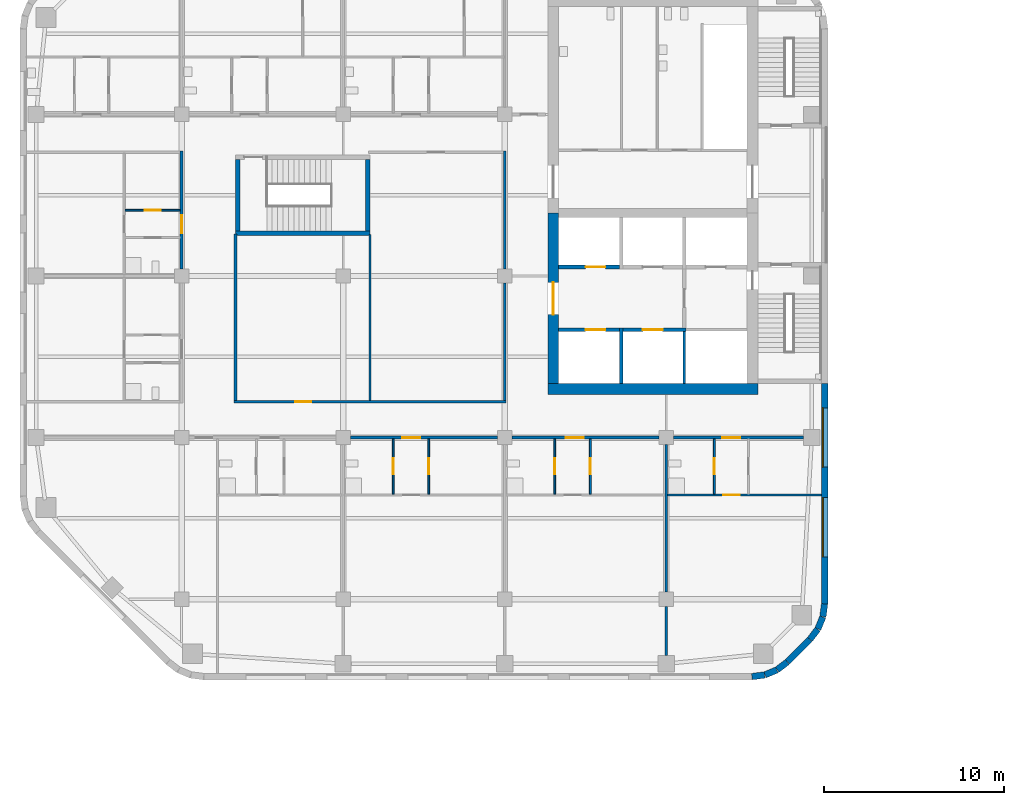
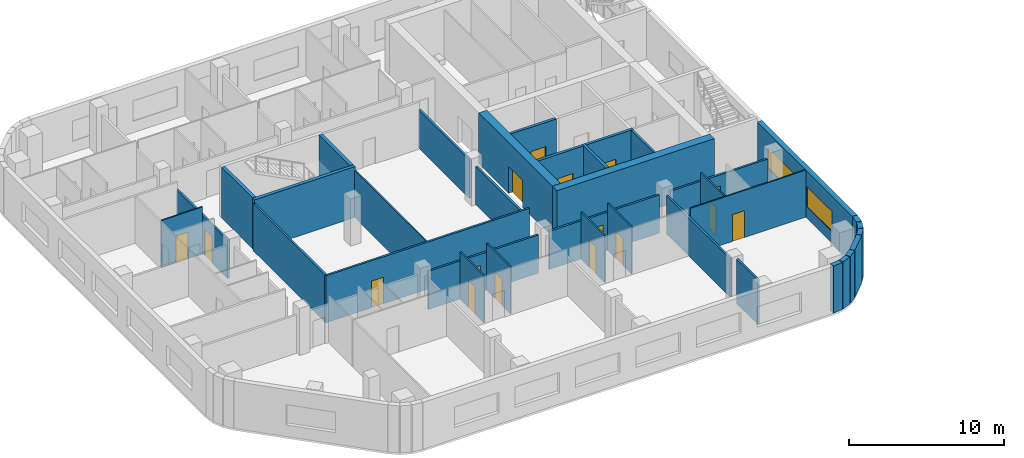
# One storey, part 6 of 16: 36 walls, 16 doors, 2 windows, 18 openings.
"""IFC4 building model written with IfcOpenShell, lengths in metres."""

from ifc_helpers import new_model, si_unit, direction, frame, frame_2d, origin, place, context, subcontext, project, spatial, rectangle, extrude, material, layer, layer_set, type_object, element, fill, save


model = new_model("IFC4")

# Units and contexts
model_context = context("Model", 3, precision=1e-05, world=origin(), true_north=direction((0.0, 1.0)))
body_context = subcontext(model_context, "Body", "Model", "MODEL_VIEW")
ifc_project = project(units=[si_unit("LENGTHUNIT", "METRE"), si_unit("AREAUNIT", "SQUARE_METRE"), si_unit("VOLUMEUNIT", "CUBIC_METRE"), si_unit("PLANEANGLEUNIT", "RADIAN"), si_unit("MASSUNIT", "GRAM", prefix="KILO")], contexts=[model_context])

# Site, building, storey
site_placement = place(None, origin())
site = spatial("IfcSite", under=ifc_project, at=site_placement, CompositionType="ELEMENT")
building_placement = place(site_placement, origin())
building = spatial("IfcBuilding", under=site, at=building_placement, Name="Cinnabar Reach Civic Tower", CompositionType="ELEMENT")
storey_placement = place(building_placement, frame((0.0, 0.0, 42.0)))
storey = spatial("IfcBuildingStorey", under=building, at=storey_placement, Name="L09", CompositionType="ELEMENT", Elevation=42.0)

# Walls
ifc_material_1 = material(Name="Facing brick with insulated backing", Category="masonry")
ifc_layer_1 = layer(ifc_material_1, 0.36)
ifc_layer_set_1 = layer_set([ifc_layer_1], Name="Brick corner wall")
wall_type_1 = type_object("IfcWallType", Name="Brick corner wall", PredefinedType="STANDARD", material=ifc_layer_set_1)
for number, where, z_axis, x_axis, name in (
    (1, (-31.2314, 4.683, 0.0), (0.0, 0.0, 1.0), (0.99144092581, 0.13055608231, 0.0), "Brick corner wall"),
    (2, (-30.5027, 4.7819, 0.0), (0.0, 0.0, 1.0), (0.923871547278, 0.382702709855, 0.0), "Brick corner wall"),
):
    element("IfcWall", number, at=place(storey_placement, frame(where, z_axis=z_axis, x_axis=x_axis)), inside=storey, type_object=wall_type_1, Name=name, PredefinedType="STANDARD", context=body_context, shape_type="SweptSolid", body=[
        extrude(rectangle(XDim=0.7131, YDim=0.36, at=frame_2d((0.3565, 0.0))), origin(), (0.0, 0.0, 1.0), 3.7),
    ])
for number, where, z_axis, x_axis, name in (
    (3, (-29.8245, 5.066, 0.0), (0.0, 0.0, 1.0), (0.793321924995, 0.608802368033, 0.0), "Brick corner wall"),
    (4, (-28.0002, 6.7587, 0.0), (0.0, 0.0, 1.0), (0.608802368033, 0.793321924995, 0.0), "Brick corner wall"),
):
    element("IfcWall", number, at=place(storey_placement, frame(where, z_axis=z_axis, x_axis=x_axis)), inside=storey, type_object=wall_type_1, Name=name, PredefinedType="STANDARD", context=body_context, shape_type="SweptSolid", body=[
        extrude(rectangle(XDim=0.7132, YDim=0.36, at=frame_2d((0.3566, 0.0))), origin(), (0.0, 0.0, 1.0), 3.7),
    ])
for number, where, z_axis, x_axis, name in (
    (5, (-27.5548, 7.3439, 0.0), (0.0, 0.0, 1.0), (0.382702709855, 0.923871547278, 0.0), "Brick corner wall"),
    (6, (-27.2761, 8.0244, 0.0), (0.0, 0.0, 1.0), (0.13055608231, 0.99144092581, 0.0), "Brick corner wall"),
):
    element("IfcWall", number, at=place(storey_placement, frame(where, z_axis=z_axis, x_axis=x_axis)), inside=storey, type_object=wall_type_1, Name=name, PredefinedType="STANDARD", context=body_context, shape_type="SweptSolid", body=[
        extrude(rectangle(XDim=0.7131, YDim=0.36, at=frame_2d((0.3565, 0.0))), origin(), (0.0, 0.0, 1.0), 3.7),
    ])
ifc_layer_2 = layer(ifc_material_1, 0.36)
ifc_layer_set_2 = layer_set([ifc_layer_2], Name="Brick pier and spandrel wall")
wall_type_2 = type_object("IfcWallType", Name="Brick pier and spandrel wall", PredefinedType="STANDARD", material=ifc_layer_set_2)
wall_1_placement = place(storey_placement, frame((-29.2486, 5.506, 0.0), z_axis=(0.0, 0.0, 1.0), x_axis=(0.707106781187, 0.707106781187, 0.0)))
element("IfcWall", 7, at=wall_1_placement, inside=storey, type_object=wall_type_2, Name="Brick facade wall", PredefinedType="STANDARD", context=body_context, shape_type="SweptSolid", body=[
    extrude(rectangle(XDim=1.7573, YDim=0.36, at=frame_2d((0.8787, 0.0))), origin(), (0.0, 0.0, 1.0), 3.7),
])

# Wall, openings, windows
wall_2_placement = place(storey_placement, frame((-27.18, 8.7426, 0.0), z_axis=(0.0, 0.0, 1.0), x_axis=(0.0, 1.0, 0.0)))
wall_2 = element("IfcWall", 8, at=wall_2_placement, inside=storey, type_object=wall_type_2, Name="Brick facade wall", PredefinedType="STANDARD", context=body_context, shape_type="SweptSolid", body=[
    extrude(rectangle(XDim=12.2574, YDim=0.36, at=frame_2d((6.1287, 0.0))), origin(), (0.0, 0.0, 1.0), 3.7),
])
opening_1_placement = place(wall_2_placement, frame((2.6074, 0.0, 0.9)))
opening_1 = element("IfcOpeningElement", 9, at=opening_1_placement, cuts=wall_2, Name="Opening W2444", PredefinedType="OPENING", context=body_context, shape_type="SweptSolid", body=[
    extrude(rectangle(XDim=3.3, YDim=1.6, at=frame_2d((1.65, 0.8))), frame((0.0, 0.19, 0.0), z_axis=(0.0, -1.0, 0.0), x_axis=(1.0, 0.0, 0.0)), (0.0, 0.0, 1.0), 0.38),
])
opening_2_placement = place(wall_2_placement, frame((7.6074, 0.0, 0.9)))
opening_2 = element("IfcOpeningElement", 10, at=opening_2_placement, cuts=wall_2, Name="Opening W2445", PredefinedType="OPENING", context=body_context, shape_type="SweptSolid", body=[
    extrude(rectangle(XDim=3.3, YDim=1.6, at=frame_2d((1.65, 0.8))), frame((0.0, 0.19, 0.0), z_axis=(0.0, -1.0, 0.0), x_axis=(1.0, 0.0, 0.0)), (0.0, 0.0, 1.0), 0.38),
])
ifc_material_2 = material(Name="Clear double glazing in aluminium frame", Category="aluminium")
window_type = type_object("IfcWindowType", Name="Deep-set window A", PartitioningType="SINGLE_PANEL", PredefinedType="WINDOW", material=ifc_material_2)
window_1_placement = place(opening_1_placement, origin())
window_1 = element("IfcWindow", 11, at=window_1_placement, inside=storey, type_object=window_type, Name="Window east face", OverallHeight=1.6, OverallWidth=3.3, PartitioningType="SINGLE_PANEL", PredefinedType="WINDOW", context=body_context, shape_type="SweptSolid", body=[
    extrude(rectangle(XDim=3.3, YDim=1.6, at=frame_2d((1.65, 0.8))), frame((0.0, 0.13, 0.0), z_axis=(0.0, -1.0, 0.0), x_axis=(1.0, 0.0, 0.0)), (0.0, 0.0, 1.0), 0.06),
])
fill(opening_1, window_1)
window_2_placement = place(opening_2_placement, origin())
window_2 = element("IfcWindow", 12, at=window_2_placement, inside=storey, type_object=window_type, Name="Window east face", OverallHeight=1.6, OverallWidth=3.3, PartitioningType="SINGLE_PANEL", PredefinedType="WINDOW", context=body_context, shape_type="SweptSolid", body=[
    extrude(rectangle(XDim=3.3, YDim=1.6, at=frame_2d((1.65, 0.8))), frame((0.0, 0.13, 0.0), z_axis=(0.0, -1.0, 0.0), x_axis=(1.0, 0.0, 0.0)), (0.0, 0.0, 1.0), 0.06),
])
fill(opening_2, window_2)

# Wall
ifc_material_3 = material(Name="Concrete C70", Category="concrete")
ifc_layer_3 = layer(ifc_material_3, 0.6)
ifc_layer_set_3 = layer_set([ifc_layer_3], Name="Core wall 600 EI 180")
wall_type_3 = type_object("IfcWallType", Name="Core wall 600 EI 180", PredefinedType="SOLIDWALL", material=ifc_layer_set_3)
wall_3_placement = place(storey_placement, frame((-42.6, 20.7, 0.0), z_axis=(0.0, 0.0, 1.0), x_axis=(1.0, 0.0, 0.0)))
element("IfcWall", 13, at=wall_3_placement, inside=storey, type_object=wall_type_3, Name="Core wall T2 L09 S", PredefinedType="SOLIDWALL", context=body_context, shape_type="SweptSolid", body=[
    extrude(rectangle(XDim=11.7, YDim=0.6, at=frame_2d((5.85, 0.0))), origin(), (0.0, 0.0, 1.0), 4.0),
])

# Wall, opening, door
wall_4_placement = place(storey_placement, frame((-42.3, 30.5, 0.0), z_axis=(0.0, 0.0, 1.0), x_axis=(0.0, -1.0, 0.0)))
wall_4 = element("IfcWall", 14, at=wall_4_placement, inside=storey, type_object=wall_type_3, Name="Core wall T2 L09 W2", PredefinedType="SOLIDWALL", context=body_context, shape_type="SweptSolid", body=[
    extrude(rectangle(XDim=9.5, YDim=0.6, at=frame_2d((4.75, 0.0))), origin(), (0.0, 0.0, 1.0), 4.0),
])
opening_3_placement = place(wall_4_placement, frame((3.85, 0.0, 0.0)))
opening_3 = element("IfcOpeningElement", 15, at=opening_3_placement, cuts=wall_4, Name="Opening D6322", PredefinedType="OPENING", context=body_context, shape_type="SweptSolid", body=[
    extrude(rectangle(XDim=1.8, YDim=2.1, at=frame_2d((0.9, 1.05))), frame((0.0, 0.31, 0.0), z_axis=(0.0, -1.0, 0.0), x_axis=(1.0, 0.0, 0.0)), (0.0, 0.0, 1.0), 0.62),
])
ifc_material_4 = material(Name="Steel fire door", Category="steel")
door_type_1 = type_object("IfcDoorType", Name="T2 Double door 1800", OperationType="DOUBLE_DOOR_SINGLE_SWING", PredefinedType="DOOR", material=ifc_material_4)
door_1_placement = place(opening_3_placement, origin())
door_1 = element("IfcDoor", 16, at=door_1_placement, inside=storey, type_object=door_type_1, Name="T2 Double door D6322", OperationType="DOUBLE_DOOR_SINGLE_SWING", OverallHeight=2.1, OverallWidth=1.8, PredefinedType="DOOR", context=body_context, shape_type="SweptSolid", body=[
    extrude(rectangle(XDim=1.8, YDim=2.1, at=frame_2d((0.9, 1.05))), frame((0.0, 0.025, 0.0), z_axis=(0.0, -1.0, 0.0), x_axis=(1.0, 0.0, 0.0)), (0.0, 0.0, 1.0), 0.05),
])
fill(opening_3, door_1)

ifc_material_5 = material(Name="Gypsum board on steel studs, double layer", Category="steel")
ifc_layer_4 = layer(ifc_material_5, 0.15)
ifc_layer_set_4 = layer_set([ifc_layer_4], Name="Corridor wall 150 T2")
wall_type_4 = type_object("IfcWallType", Name="Corridor wall 150 T2", PredefinedType="PARTITIONING", material=ifc_layer_set_4)
wall_5_placement = place(storey_placement, frame((-35.6, 18.0, 0.0), z_axis=(0.0, 0.0, 1.0), x_axis=(1.0, 0.0, 0.0)))
wall_5 = element("IfcWall", 17, at=wall_5_placement, inside=storey, type_object=wall_type_4, Name="Corridor wall 1", PredefinedType="PARTITIONING", context=body_context, shape_type="SweptSolid", body=[
    extrude(rectangle(XDim=7.25, YDim=0.15, at=frame_2d((3.625, 0.0))), origin(), (0.0, 0.0, 1.0), 3.0),
])
opening_4_placement = place(wall_5_placement, frame((2.7284, 0.0, 0.0)))
opening_4 = element("IfcOpeningElement", 18, at=opening_4_placement, cuts=wall_5, Name="Opening D6344", PredefinedType="OPENING", context=body_context, shape_type="SweptSolid", body=[
    extrude(rectangle(XDim=1.0, YDim=2.1, at=frame_2d((0.5, 1.05))), frame((0.0, 0.085, 0.0), z_axis=(0.0, -1.0, 0.0), x_axis=(1.0, 0.0, 0.0)), (0.0, 0.0, 1.0), 0.17),
])
ifc_material_6 = material(Name="Timber door leaf in steel frame", Category="steel")
door_type_2 = type_object("IfcDoorType", Name="Tenancy entrance door 1000 x 2100 T2", OperationType="SINGLE_SWING_LEFT", PredefinedType="DOOR", material=ifc_material_6)
door_2_placement = place(opening_4_placement, frame((1.0, 0.0, 0.0), z_axis=(0.0, 0.0, 1.0), x_axis=(-1.0, 0.0, 0.0)))
door_2 = element("IfcDoor", 19, at=door_2_placement, inside=storey, type_object=door_type_2, Name="Door D6344", OperationType="SINGLE_SWING_RIGHT", OverallHeight=2.1, OverallWidth=1.0, PredefinedType="DOOR", context=body_context, shape_type="SweptSolid", body=[
    extrude(rectangle(XDim=1.0, YDim=2.1, at=frame_2d((0.5, 1.05))), frame((0.0, 0.025, 0.0), z_axis=(0.0, -1.0, 0.0), x_axis=(1.0, 0.0, 0.0)), (0.0, 0.0, 1.0), 0.05),
])
fill(opening_4, door_2)

wall_6_placement = place(storey_placement, frame((-44.6, 18.0, 0.0), z_axis=(0.0, 0.0, 1.0), x_axis=(1.0, 0.0, 0.0)))
wall_6 = element("IfcWall", 20, at=wall_6_placement, inside=storey, type_object=wall_type_4, Name="Corridor wall 2", PredefinedType="PARTITIONING", context=body_context, shape_type="SweptSolid", body=[
    extrude(rectangle(XDim=8.2, YDim=0.15, at=frame_2d((4.1, 0.0))), origin(), (0.0, 0.0, 1.0), 3.0),
])
opening_5_placement = place(wall_6_placement, frame((3.0, 0.0, 0.0)))
opening_5 = element("IfcOpeningElement", 21, at=opening_5_placement, cuts=wall_6, Name="Opening D6340", PredefinedType="OPENING", context=body_context, shape_type="SweptSolid", body=[
    extrude(rectangle(XDim=1.0, YDim=2.1, at=frame_2d((0.5, 1.05))), frame((0.0, 0.085, 0.0), z_axis=(0.0, -1.0, 0.0), x_axis=(1.0, 0.0, 0.0)), (0.0, 0.0, 1.0), 0.17),
])
door_3_placement = place(opening_5_placement, frame((1.0, 0.0, 0.0), z_axis=(0.0, 0.0, 1.0), x_axis=(-1.0, 0.0, 0.0)))
door_3 = element("IfcDoor", 22, at=door_3_placement, inside=storey, type_object=door_type_2, Name="Door D6340", OperationType="SINGLE_SWING_LEFT", OverallHeight=2.1, OverallWidth=1.0, PredefinedType="DOOR", context=body_context, shape_type="SweptSolid", body=[
    extrude(rectangle(XDim=1.0, YDim=2.1, at=frame_2d((0.5, 1.05))), frame((0.0, 0.025, 0.0), z_axis=(0.0, -1.0, 0.0), x_axis=(1.0, 0.0, 0.0)), (0.0, 0.0, 1.0), 0.05),
])
fill(opening_5, door_3)

wall_7_placement = place(storey_placement, frame((-53.6, 18.0, 0.0), z_axis=(0.0, 0.0, 1.0), x_axis=(1.0, 0.0, 0.0)))
wall_7 = element("IfcWall", 23, at=wall_7_placement, inside=storey, type_object=wall_type_4, Name="Corridor wall 3", PredefinedType="PARTITIONING", context=body_context, shape_type="SweptSolid", body=[
    extrude(rectangle(XDim=8.2, YDim=0.15, at=frame_2d((4.1, 0.0))), origin(), (0.0, 0.0, 1.0), 3.0),
])
opening_6_placement = place(wall_7_placement, frame((2.89, 0.0, 0.0)))
opening_6 = element("IfcOpeningElement", 24, at=opening_6_placement, cuts=wall_7, Name="Opening D6336", PredefinedType="OPENING", context=body_context, shape_type="SweptSolid", body=[
    extrude(rectangle(XDim=1.0, YDim=2.1, at=frame_2d((0.5, 1.05))), frame((0.0, 0.085, 0.0), z_axis=(0.0, -1.0, 0.0), x_axis=(1.0, 0.0, 0.0)), (0.0, 0.0, 1.0), 0.17),
])
door_4_placement = place(opening_6_placement, frame((1.0, 0.0, 0.0), z_axis=(0.0, 0.0, 1.0), x_axis=(-1.0, 0.0, 0.0)))
door_4 = element("IfcDoor", 25, at=door_4_placement, inside=storey, type_object=door_type_2, Name="Door D6336", OperationType="SINGLE_SWING_RIGHT", OverallHeight=2.1, OverallWidth=1.0, PredefinedType="DOOR", context=body_context, shape_type="SweptSolid", body=[
    extrude(rectangle(XDim=1.0, YDim=2.1, at=frame_2d((0.5, 1.05))), frame((0.0, 0.025, 0.0), z_axis=(0.0, -1.0, 0.0), x_axis=(1.0, 0.0, 0.0)), (0.0, 0.0, 1.0), 0.05),
])
fill(opening_6, door_4)

wall_8_placement = place(storey_placement, frame((-60.075, 20.0, 0.0), z_axis=(0.0, 0.0, 1.0), x_axis=(1.0, 0.0, 0.0)))
wall_8 = element("IfcWall", 26, at=wall_8_placement, inside=storey, type_object=wall_type_4, Name="Corridor wall 10", PredefinedType="PARTITIONING", context=body_context, shape_type="SweptSolid", body=[
    extrude(rectangle(XDim=15.15, YDim=0.15, at=frame_2d((7.575, 0.0))), origin(), (0.0, 0.0, 1.0), 3.7),
])
opening_7_placement = place(wall_8_placement, frame((3.4, 0.0, 0.0)))
opening_7 = element("IfcOpeningElement", 27, at=opening_7_placement, cuts=wall_8, Name="Opening D6367", PredefinedType="OPENING", context=body_context, shape_type="SweptSolid", body=[
    extrude(rectangle(XDim=0.9, YDim=2.1, at=frame_2d((0.45, 1.05))), frame((0.0, 0.085, 0.0), z_axis=(0.0, -1.0, 0.0), x_axis=(1.0, 0.0, 0.0)), (0.0, 0.0, 1.0), 0.17),
])
door_type_3 = type_object("IfcDoorType", Name="Single swing door 900 x 2100 T2", OperationType="SINGLE_SWING_LEFT", PredefinedType="DOOR", material=ifc_material_6)
door_5_placement = place(opening_7_placement, origin())
door_5 = element("IfcDoor", 28, at=door_5_placement, inside=storey, type_object=door_type_3, Name="Door D6367", OperationType="SINGLE_SWING_LEFT", OverallHeight=2.1, OverallWidth=0.9, PredefinedType="DOOR", context=body_context, shape_type="SweptSolid", body=[
    extrude(rectangle(XDim=0.9, YDim=2.1, at=frame_2d((0.45, 1.05))), frame((0.0, 0.025, 0.0), z_axis=(0.0, -1.0, 0.0), x_axis=(1.0, 0.0, 0.0)), (0.0, 0.0, 1.0), 0.05),
])
fill(opening_7, door_5)

wall_9_placement = place(storey_placement, frame((-63.0, 27.4, 0.0), z_axis=(0.0, 0.0, 1.0), x_axis=(0.0, 1.0, 0.0)))
wall_9 = element("IfcWall", 29, at=wall_9_placement, inside=storey, type_object=wall_type_4, Name="Corridor wall 12", PredefinedType="PARTITIONING", context=body_context, shape_type="SweptSolid", body=[
    extrude(rectangle(XDim=6.575, YDim=0.15, at=frame_2d((3.2875, 0.0))), origin(), (0.0, 0.0, 1.0), 3.008),
])
opening_8_placement = place(wall_9_placement, frame((1.989, 0.0, 0.0)))
opening_8 = element("IfcOpeningElement", 30, at=opening_8_placement, cuts=wall_9, Name="Opening D6366", PredefinedType="OPENING", context=body_context, shape_type="SweptSolid", body=[
    extrude(rectangle(XDim=1.0, YDim=2.1, at=frame_2d((0.5, 1.05))), frame((0.0, 0.085, 0.0), z_axis=(0.0, -1.0, 0.0), x_axis=(1.0, 0.0, 0.0)), (0.0, 0.0, 1.0), 0.17),
])
door_6_placement = place(opening_8_placement, origin())
door_6 = element("IfcDoor", 31, at=door_6_placement, inside=storey, type_object=door_type_2, Name="Door D6366", OperationType="SINGLE_SWING_RIGHT", OverallHeight=2.1, OverallWidth=1.0, PredefinedType="DOOR", context=body_context, shape_type="SweptSolid", body=[
    extrude(rectangle(XDim=1.0, YDim=2.1, at=frame_2d((0.5, 1.05))), frame((0.0, 0.025, 0.0), z_axis=(0.0, -1.0, 0.0), x_axis=(1.0, 0.0, 0.0)), (0.0, 0.0, 1.0), 0.05),
])
fill(opening_8, door_6)

# Walls
wall_10_placement = place(storey_placement, frame((-45.0, 20.075, 0.0), z_axis=(0.0, 0.0, 1.0), x_axis=(0.0, 1.0, 0.0)))
element("IfcWall", 32, at=wall_10_placement, inside=storey, type_object=wall_type_4, Name="Corridor wall 13", PredefinedType="PARTITIONING", context=body_context, shape_type="SweptSolid", body=[
    extrude(rectangle(XDim=6.525, YDim=0.15, at=frame_2d((3.2625, 0.0))), origin(), (0.0, 0.0, 1.0), 3.008),
])
wall_11_placement = place(storey_placement, frame((-45.0, 27.4, 0.0), z_axis=(0.0, 0.0, 1.0), x_axis=(0.0, 1.0, 0.0)))
element("IfcWall", 33, at=wall_11_placement, inside=storey, type_object=wall_type_4, Name="Corridor wall 14", PredefinedType="PARTITIONING", context=body_context, shape_type="SweptSolid", body=[
    extrude(rectangle(XDim=6.575, YDim=0.15, at=frame_2d((3.2875, 0.0))), origin(), (0.0, 0.0, 1.0), 3.008),
])
wall_12_placement = place(storey_placement, frame((-60.0, 20.075, 0.0), z_axis=(0.0, 0.0, 1.0), x_axis=(0.0, 1.0, 0.0)))
element("IfcWall", 34, at=wall_12_placement, inside=storey, type_object=wall_type_4, Name="Corridor wall 15", PredefinedType="PARTITIONING", context=body_context, shape_type="SweptSolid", body=[
    extrude(rectangle(XDim=9.25, YDim=0.15, at=frame_2d((4.625, 0.0))), origin(), (0.0, 0.0, 1.0), 3.7),
])

# Wall, opening, door
ifc_material_7 = material(Name="Gypsum board on steel studs", Category="steel")
ifc_layer_5 = layer(ifc_material_7, 0.1)
ifc_layer_set_5 = layer_set([ifc_layer_5], Name="Partition wall 100 T2")
wall_type_5 = type_object("IfcWallType", Name="Partition wall 100 T2", PredefinedType="PARTITIONING", material=ifc_layer_set_5)
wall_13_placement = place(storey_placement, frame((-35.925, 14.8, 0.0), z_axis=(0.0, 0.0, 1.0), x_axis=(1.0, 0.0, 0.0)))
wall_13 = element("IfcWall", 35, at=wall_13_placement, inside=storey, type_object=wall_type_5, Name="Partition wall 31", PredefinedType="PARTITIONING", context=body_context, shape_type="SweptSolid", body=[
    extrude(rectangle(XDim=8.565, YDim=0.1, at=frame_2d((4.2825, 0.0))), origin(), (0.0, 0.0, 1.0), 3.7),
])
opening_9_placement = place(wall_13_placement, frame((3.1034, 0.0, 0.0)))
opening_9 = element("IfcOpeningElement", 36, at=opening_9_placement, cuts=wall_13, Name="Opening D6343", PredefinedType="OPENING", context=body_context, shape_type="SweptSolid", body=[
    extrude(rectangle(XDim=0.9, YDim=2.1, at=frame_2d((0.45, 1.05))), frame((0.0, 0.06, 0.0), z_axis=(0.0, -1.0, 0.0), x_axis=(1.0, 0.0, 0.0)), (0.0, 0.0, 1.0), 0.12),
])
door_7_placement = place(opening_9_placement, origin())
door_7 = element("IfcDoor", 37, at=door_7_placement, inside=storey, type_object=door_type_3, Name="Door D6343", OperationType="SINGLE_SWING_RIGHT", OverallHeight=2.1, OverallWidth=0.9, PredefinedType="DOOR", context=body_context, shape_type="SweptSolid", body=[
    extrude(rectangle(XDim=0.9, YDim=2.1, at=frame_2d((0.45, 1.05))), frame((0.0, 0.025, 0.0), z_axis=(0.0, -1.0, 0.0), x_axis=(1.0, 0.0, 0.0)), (0.0, 0.0, 1.0), 0.05),
])
fill(opening_9, door_7)

# Wall
wall_14_placement = place(storey_placement, frame((-52.5, 20.075, 0.0), z_axis=(0.0, 0.0, 1.0), x_axis=(0.0, 1.0, 0.0)))
element("IfcWall", 38, at=wall_14_placement, inside=storey, type_object=wall_type_5, Name="Partition wall 39", PredefinedType="PARTITIONING", context=body_context, shape_type="SweptSolid", body=[
    extrude(rectangle(XDim=9.225, YDim=0.1, at=frame_2d((4.6125, 0.0))), origin(), (0.0, 0.0, 1.0), 3.7),
])

# Wall, opening, door
wall_15_placement = place(storey_placement, frame((-66.15, 30.657, 0.0), z_axis=(0.0, 0.0, 1.0), x_axis=(1.0, 0.0, 0.0)))
wall_15 = element("IfcWall", 39, at=wall_15_placement, inside=storey, type_object=wall_type_5, Name="Partition wall 47", PredefinedType="PARTITIONING", context=body_context, shape_type="SweptSolid", body=[
    extrude(rectangle(XDim=3.075, YDim=0.1, at=frame_2d((1.5375, 0.0))), origin(), (0.0, 0.0, 1.0), 3.7),
])
opening_10_placement = place(wall_15_placement, frame((1.1, 0.0, 0.0)))
opening_10 = element("IfcOpeningElement", 40, at=opening_10_placement, cuts=wall_15, Name="Opening D6364", PredefinedType="OPENING", context=body_context, shape_type="SweptSolid", body=[
    extrude(rectangle(XDim=0.9, YDim=2.1, at=frame_2d((0.45, 1.05))), frame((0.0, 0.06, 0.0), z_axis=(0.0, -1.0, 0.0), x_axis=(1.0, 0.0, 0.0)), (0.0, 0.0, 1.0), 0.12),
])
door_8_placement = place(opening_10_placement, frame((0.9, 0.0, 0.0), z_axis=(0.0, 0.0, 1.0), x_axis=(-1.0, 0.0, 0.0)))
door_8 = element("IfcDoor", 41, at=door_8_placement, inside=storey, type_object=door_type_3, Name="Door D6364", OperationType="SINGLE_SWING_RIGHT", OverallHeight=2.1, OverallWidth=0.9, PredefinedType="DOOR", context=body_context, shape_type="SweptSolid", body=[
    extrude(rectangle(XDim=0.9, YDim=2.1, at=frame_2d((0.45, 1.05))), frame((0.0, 0.025, 0.0), z_axis=(0.0, -1.0, 0.0), x_axis=(1.0, 0.0, 0.0)), (0.0, 0.0, 1.0), 0.05),
])
fill(opening_10, door_8)

wall_16_placement = place(storey_placement, frame((-51.21, 14.85, 0.0), z_axis=(0.0, 0.0, 1.0), x_axis=(0.0, 1.0, 0.0)))
wall_16 = element("IfcWall", 42, at=wall_16_placement, inside=storey, type_object=wall_type_5, Name="Partition wall 56", PredefinedType="PARTITIONING", context=body_context, shape_type="SweptSolid", body=[
    extrude(rectangle(XDim=3.075, YDim=0.1, at=frame_2d((1.5375, 0.0))), origin(), (0.0, 0.0, 1.0), 3.7),
])
opening_11_placement = place(wall_16_placement, frame((1.1, 0.0, 0.0)))
opening_11 = element("IfcOpeningElement", 43, at=opening_11_placement, cuts=wall_16, Name="Opening D6333", PredefinedType="OPENING", context=body_context, shape_type="SweptSolid", body=[
    extrude(rectangle(XDim=0.9, YDim=2.1, at=frame_2d((0.45, 1.05))), frame((0.0, 0.06, 0.0), z_axis=(0.0, -1.0, 0.0), x_axis=(1.0, 0.0, 0.0)), (0.0, 0.0, 1.0), 0.12),
])
door_9_placement = place(opening_11_placement, origin())
door_9 = element("IfcDoor", 44, at=door_9_placement, inside=storey, type_object=door_type_3, Name="Door D6333", OperationType="SINGLE_SWING_RIGHT", OverallHeight=2.1, OverallWidth=0.9, PredefinedType="DOOR", context=body_context, shape_type="SweptSolid", body=[
    extrude(rectangle(XDim=0.9, YDim=2.1, at=frame_2d((0.45, 1.05))), frame((0.0, 0.025, 0.0), z_axis=(0.0, -1.0, 0.0), x_axis=(1.0, 0.0, 0.0)), (0.0, 0.0, 1.0), 0.05),
])
fill(opening_11, door_9)

wall_17_placement = place(storey_placement, frame((-49.23, 14.85, 0.0), z_axis=(0.0, 0.0, 1.0), x_axis=(0.0, 1.0, 0.0)))
wall_17 = element("IfcWall", 45, at=wall_17_placement, inside=storey, type_object=wall_type_5, Name="Partition wall 57", PredefinedType="PARTITIONING", context=body_context, shape_type="SweptSolid", body=[
    extrude(rectangle(XDim=3.075, YDim=0.1, at=frame_2d((1.5375, 0.0))), origin(), (0.0, 0.0, 1.0), 3.7),
])
opening_12_placement = place(wall_17_placement, frame((1.1, 0.0, 0.0)))
opening_12 = element("IfcOpeningElement", 46, at=opening_12_placement, cuts=wall_17, Name="Opening D6334", PredefinedType="OPENING", context=body_context, shape_type="SweptSolid", body=[
    extrude(rectangle(XDim=0.9, YDim=2.1, at=frame_2d((0.45, 1.05))), frame((0.0, 0.06, 0.0), z_axis=(0.0, -1.0, 0.0), x_axis=(1.0, 0.0, 0.0)), (0.0, 0.0, 1.0), 0.12),
])
door_10_placement = place(opening_12_placement, origin())
door_10 = element("IfcDoor", 47, at=door_10_placement, inside=storey, type_object=door_type_3, Name="Door D6334", OperationType="SINGLE_SWING_RIGHT", OverallHeight=2.1, OverallWidth=0.9, PredefinedType="DOOR", context=body_context, shape_type="SweptSolid", body=[
    extrude(rectangle(XDim=0.9, YDim=2.1, at=frame_2d((0.45, 1.05))), frame((0.0, 0.025, 0.0), z_axis=(0.0, -1.0, 0.0), x_axis=(1.0, 0.0, 0.0)), (0.0, 0.0, 1.0), 0.05),
])
fill(opening_12, door_10)

wall_18_placement = place(storey_placement, frame((-42.21, 14.85, 0.0), z_axis=(0.0, 0.0, 1.0), x_axis=(0.0, 1.0, 0.0)))
wall_18 = element("IfcWall", 48, at=wall_18_placement, inside=storey, type_object=wall_type_5, Name="Partition wall 58", PredefinedType="PARTITIONING", context=body_context, shape_type="SweptSolid", body=[
    extrude(rectangle(XDim=3.075, YDim=0.1, at=frame_2d((1.5375, 0.0))), origin(), (0.0, 0.0, 1.0), 3.7),
])
opening_13_placement = place(wall_18_placement, frame((1.1, 0.0, 0.0)))
opening_13 = element("IfcOpeningElement", 49, at=opening_13_placement, cuts=wall_18, Name="Opening D6337", PredefinedType="OPENING", context=body_context, shape_type="SweptSolid", body=[
    extrude(rectangle(XDim=0.9, YDim=2.1, at=frame_2d((0.45, 1.05))), frame((0.0, 0.06, 0.0), z_axis=(0.0, -1.0, 0.0), x_axis=(1.0, 0.0, 0.0)), (0.0, 0.0, 1.0), 0.12),
])
door_11_placement = place(opening_13_placement, origin())
door_11 = element("IfcDoor", 50, at=door_11_placement, inside=storey, type_object=door_type_3, Name="Door D6337", OperationType="SINGLE_SWING_RIGHT", OverallHeight=2.1, OverallWidth=0.9, PredefinedType="DOOR", context=body_context, shape_type="SweptSolid", body=[
    extrude(rectangle(XDim=0.9, YDim=2.1, at=frame_2d((0.45, 1.05))), frame((0.0, 0.025, 0.0), z_axis=(0.0, -1.0, 0.0), x_axis=(1.0, 0.0, 0.0)), (0.0, 0.0, 1.0), 0.05),
])
fill(opening_13, door_11)

wall_19_placement = place(storey_placement, frame((-40.23, 14.85, 0.0), z_axis=(0.0, 0.0, 1.0), x_axis=(0.0, 1.0, 0.0)))
wall_19 = element("IfcWall", 51, at=wall_19_placement, inside=storey, type_object=wall_type_5, Name="Partition wall 59", PredefinedType="PARTITIONING", context=body_context, shape_type="SweptSolid", body=[
    extrude(rectangle(XDim=3.075, YDim=0.1, at=frame_2d((1.5375, 0.0))), origin(), (0.0, 0.0, 1.0), 3.7),
])
opening_14_placement = place(wall_19_placement, frame((1.1, 0.0, 0.0)))
opening_14 = element("IfcOpeningElement", 52, at=opening_14_placement, cuts=wall_19, Name="Opening D6338", PredefinedType="OPENING", context=body_context, shape_type="SweptSolid", body=[
    extrude(rectangle(XDim=0.9, YDim=2.1, at=frame_2d((0.45, 1.05))), frame((0.0, 0.06, 0.0), z_axis=(0.0, -1.0, 0.0), x_axis=(1.0, 0.0, 0.0)), (0.0, 0.0, 1.0), 0.12),
])
door_12_placement = place(opening_14_placement, origin())
door_12 = element("IfcDoor", 53, at=door_12_placement, inside=storey, type_object=door_type_3, Name="Door D6338", OperationType="SINGLE_SWING_RIGHT", OverallHeight=2.1, OverallWidth=0.9, PredefinedType="DOOR", context=body_context, shape_type="SweptSolid", body=[
    extrude(rectangle(XDim=0.9, YDim=2.1, at=frame_2d((0.45, 1.05))), frame((0.0, 0.025, 0.0), z_axis=(0.0, -1.0, 0.0), x_axis=(1.0, 0.0, 0.0)), (0.0, 0.0, 1.0), 0.05),
])
fill(opening_14, door_12)

wall_20_placement = place(storey_placement, frame((-33.3216, 14.85, 0.0), z_axis=(0.0, 0.0, 1.0), x_axis=(0.0, 1.0, 0.0)))
wall_20 = element("IfcWall", 54, at=wall_20_placement, inside=storey, type_object=wall_type_5, Name="Partition wall 60", PredefinedType="PARTITIONING", context=body_context, shape_type="SweptSolid", body=[
    extrude(rectangle(XDim=3.075, YDim=0.1, at=frame_2d((1.5375, 0.0))), origin(), (0.0, 0.0, 1.0), 3.7),
])
opening_15_placement = place(wall_20_placement, frame((1.1, 0.0, 0.0)))
opening_15 = element("IfcOpeningElement", 55, at=opening_15_placement, cuts=wall_20, Name="Opening D6341", PredefinedType="OPENING", context=body_context, shape_type="SweptSolid", body=[
    extrude(rectangle(XDim=0.9, YDim=2.1, at=frame_2d((0.45, 1.05))), frame((0.0, 0.06, 0.0), z_axis=(0.0, -1.0, 0.0), x_axis=(1.0, 0.0, 0.0)), (0.0, 0.0, 1.0), 0.12),
])
door_13_placement = place(opening_15_placement, origin())
door_13 = element("IfcDoor", 56, at=door_13_placement, inside=storey, type_object=door_type_3, Name="Door D6341", OperationType="SINGLE_SWING_LEFT", OverallHeight=2.1, OverallWidth=0.9, PredefinedType="DOOR", context=body_context, shape_type="SweptSolid", body=[
    extrude(rectangle(XDim=0.9, YDim=2.1, at=frame_2d((0.45, 1.05))), frame((0.0, 0.025, 0.0), z_axis=(0.0, -1.0, 0.0), x_axis=(1.0, 0.0, 0.0)), (0.0, 0.0, 1.0), 0.05),
])
fill(opening_15, door_13)

# Walls
ifc_material_8 = material(Name="Concrete C60", Category="concrete")
ifc_layer_6 = layer(ifc_material_8, 0.25)
ifc_layer_set_6 = layer_set([ifc_layer_6], Name="Stair shaft wall 250 EI 120")
wall_type_6 = type_object("IfcWallType", Name="Stair shaft wall 250 EI 120", PredefinedType="SOLIDWALL", material=ifc_layer_set_6)
wall_21_placement = place(storey_placement, frame((-60.0, 29.375, 0.0), z_axis=(0.0, 0.0, 1.0), x_axis=(1.0, 0.0, 0.0)))
element("IfcWall", 57, at=wall_21_placement, inside=storey, type_object=wall_type_6, Name="Stair shaft wall T2-S3 L09", PredefinedType="SOLIDWALL", context=body_context, shape_type="SweptSolid", body=[
    extrude(rectangle(XDim=7.5, YDim=0.25, at=frame_2d((3.75, 0.0))), origin(), (0.0, 0.0, 1.0), 4.0),
])
for number, where, z_axis, x_axis, name in (
    (58, (-52.625, 29.5, 0.0), (0.0, 0.0, 1.0), (0.0, 1.0, 0.0), "Stair shaft wall T2-S3 L09"),
    (59, (-59.875, 33.5, 0.0), (0.0, 0.0, 1.0), (0.0, -1.0, 0.0), "Stair shaft wall T2-S3 L09"),
):
    element("IfcWall", number, at=place(storey_placement, frame(where, z_axis=z_axis, x_axis=x_axis)), inside=storey, type_object=wall_type_6, Name=name, PredefinedType="SOLIDWALL", context=body_context, shape_type="SweptSolid", body=[
        extrude(rectangle(XDim=4.0, YDim=0.25, at=frame_2d((2.0, 0.0))), origin(), (0.0, 0.0, 1.0), 4.0),
    ])
ifc_material_9 = material(Name="Concrete C40", Category="concrete")
ifc_layer_7 = layer(ifc_material_9, 0.15)
ifc_layer_set_7 = layer_set([ifc_layer_7], Name="T2 Riser wall 150")
wall_type_7 = type_object("IfcWallType", Name="T2 Riser wall 150", PredefinedType="SOLIDWALL", material=ifc_layer_set_7)
wall_22_placement = place(storey_placement, frame((-35.0, 21.0, 0.0), z_axis=(0.0, 0.0, 1.0), x_axis=(0.0, 1.0, 0.0)))
element("IfcWall", 60, at=wall_22_placement, inside=storey, type_object=wall_type_7, Name="T2 Riser wall L09 010", PredefinedType="SOLIDWALL", context=body_context, shape_type="SweptSolid", body=[
    extrude(rectangle(XDim=2.9, YDim=0.15, at=frame_2d((1.45, 0.0))), origin(), (0.0, 0.0, 1.0), 4.0),
])
ifc_layer_8 = layer(ifc_material_9, 0.2)
ifc_layer_set_8 = layer_set([ifc_layer_8], Name="T2 Shaft wall 200")
wall_type_8 = type_object("IfcWallType", Name="T2 Shaft wall 200", PredefinedType="SOLIDWALL", material=ifc_layer_set_8)
wall_23_placement = place(storey_placement, frame((-38.5, 21.0, 0.0), z_axis=(0.0, 0.0, 1.0), x_axis=(0.0, 1.0, 0.0)))
element("IfcWall", 61, at=wall_23_placement, inside=storey, type_object=wall_type_8, Name="T2 Shaft wall L09 001", PredefinedType="SOLIDWALL", context=body_context, shape_type="SweptSolid", body=[
    extrude(rectangle(XDim=3.1, YDim=0.2, at=frame_2d((1.55, 0.0))), origin(), (0.0, 0.0, 1.0), 4.0),
])

# Wall, opening, door
wall_24_placement = place(storey_placement, frame((-38.6, 24.0, 0.0), z_axis=(0.0, 0.0, 1.0), x_axis=(-1.0, 0.0, 0.0)))
wall_24 = element("IfcWall", 62, at=wall_24_placement, inside=storey, type_object=wall_type_8, Name="T2 Shaft wall L09 002", PredefinedType="SOLIDWALL", context=body_context, shape_type="SweptSolid", body=[
    extrude(rectangle(XDim=3.4, YDim=0.2, at=frame_2d((1.7, 0.0))), origin(), (0.0, 0.0, 1.0), 4.0),
])
opening_16_placement = place(wall_24_placement, frame((0.8, 0.0, 0.0)))
opening_16 = element("IfcOpeningElement", 63, at=opening_16_placement, cuts=wall_24, Name="Opening D6312", PredefinedType="OPENING", context=body_context, shape_type="SweptSolid", body=[
    extrude(rectangle(XDim=1.1, YDim=2.1, at=frame_2d((0.55, 1.05))), frame((0.0, 0.11, 0.0), z_axis=(0.0, -1.0, 0.0), x_axis=(1.0, 0.0, 0.0)), (0.0, 0.0, 1.0), 0.22),
])
door_type_4 = type_object("IfcDoorType", Name="T2 Lift landing door 1100", OperationType="SLIDING_TO_LEFT", PredefinedType="DOOR", material=ifc_material_4)
door_14_placement = place(opening_16_placement, origin())
door_14 = element("IfcDoor", 64, at=door_14_placement, inside=storey, type_object=door_type_4, Name="T2 Lift landing door D6312", OperationType="SLIDING_TO_LEFT", OverallHeight=2.1, OverallWidth=1.1, PredefinedType="DOOR", context=body_context, shape_type="SweptSolid", body=[
    extrude(rectangle(XDim=1.1, YDim=2.1, at=frame_2d((0.55, 1.05))), frame((0.0, 0.025, 0.0), z_axis=(0.0, -1.0, 0.0), x_axis=(1.0, 0.0, 0.0)), (0.0, 0.0, 1.0), 0.05),
])
fill(opening_16, door_14)

wall_25_placement = place(storey_placement, frame((-34.9, 24.0, 0.0), z_axis=(0.0, 0.0, 1.0), x_axis=(-1.0, 0.0, 0.0)))
wall_25 = element("IfcWall", 65, at=wall_25_placement, inside=storey, type_object=wall_type_8, Name="T2 Shaft wall L09 003", PredefinedType="SOLIDWALL", context=body_context, shape_type="SweptSolid", body=[
    extrude(rectangle(XDim=3.5, YDim=0.2, at=frame_2d((1.75, 0.0))), origin(), (0.0, 0.0, 1.0), 4.0),
])
opening_17_placement = place(wall_25_placement, frame((1.3, 0.0, 0.0)))
opening_17 = element("IfcOpeningElement", 66, at=opening_17_placement, cuts=wall_25, Name="Opening D6313", PredefinedType="OPENING", context=body_context, shape_type="SweptSolid", body=[
    extrude(rectangle(XDim=1.1, YDim=2.1, at=frame_2d((0.55, 1.05))), frame((0.0, 0.11, 0.0), z_axis=(0.0, -1.0, 0.0), x_axis=(1.0, 0.0, 0.0)), (0.0, 0.0, 1.0), 0.22),
])
door_15_placement = place(opening_17_placement, origin())
door_15 = element("IfcDoor", 67, at=door_15_placement, inside=storey, type_object=door_type_4, Name="T2 Lift landing door D6313", OperationType="SLIDING_TO_LEFT", OverallHeight=2.1, OverallWidth=1.1, PredefinedType="DOOR", context=body_context, shape_type="SweptSolid", body=[
    extrude(rectangle(XDim=1.1, YDim=2.1, at=frame_2d((0.55, 1.05))), frame((0.0, 0.025, 0.0), z_axis=(0.0, -1.0, 0.0), x_axis=(1.0, 0.0, 0.0)), (0.0, 0.0, 1.0), 0.05),
])
fill(opening_17, door_15)

wall_26_placement = place(storey_placement, frame((-42.0, 27.5, 0.0), z_axis=(0.0, 0.0, 1.0), x_axis=(1.0, 0.0, 0.0)))
wall_26 = element("IfcWall", 68, at=wall_26_placement, inside=storey, type_object=wall_type_8, Name="T2 Shaft wall L09 005", PredefinedType="SOLIDWALL", context=body_context, shape_type="SweptSolid", body=[
    extrude(rectangle(XDim=3.4, YDim=0.2, at=frame_2d((1.7, 0.0))), origin(), (0.0, 0.0, 1.0), 4.0),
])
opening_18_placement = place(wall_26_placement, frame((1.5, 0.0, 0.0)))
opening_18 = element("IfcOpeningElement", 69, at=opening_18_placement, cuts=wall_26, Name="Opening D6314", PredefinedType="OPENING", context=body_context, shape_type="SweptSolid", body=[
    extrude(rectangle(XDim=1.1, YDim=2.1, at=frame_2d((0.55, 1.05))), frame((0.0, 0.11, 0.0), z_axis=(0.0, -1.0, 0.0), x_axis=(1.0, 0.0, 0.0)), (0.0, 0.0, 1.0), 0.22),
])
door_16_placement = place(opening_18_placement, origin())
door_16 = element("IfcDoor", 70, at=door_16_placement, inside=storey, type_object=door_type_4, Name="T2 Lift landing door D6314", OperationType="SLIDING_TO_LEFT", OverallHeight=2.1, OverallWidth=1.1, PredefinedType="DOOR", context=body_context, shape_type="SweptSolid", body=[
    extrude(rectangle(XDim=1.1, YDim=2.1, at=frame_2d((0.55, 1.05))), frame((0.0, 0.025, 0.0), z_axis=(0.0, -1.0, 0.0), x_axis=(1.0, 0.0, 0.0)), (0.0, 0.0, 1.0), 0.05),
])
fill(opening_18, door_16)

# Walls
ifc_layer_9 = layer(ifc_material_5, 0.15)
ifc_layer_set_9 = layer_set([ifc_layer_9], Name="Tenancy separating wall 150 T2")
wall_type_9 = type_object("IfcWallType", Name="Tenancy separating wall 150 T2", PredefinedType="PARTITIONING", material=ifc_layer_set_9)
wall_27_placement = place(storey_placement, frame((-36.0, 9.4, 0.0), z_axis=(0.0, 0.0, 1.0), x_axis=(0.0, 1.0, 0.0)))
element("IfcWall", 71, at=wall_27_placement, inside=storey, type_object=wall_type_9, Name="Tenancy separating wall 23", PredefinedType="PARTITIONING", context=body_context, shape_type="SweptSolid", body=[
    extrude(rectangle(XDim=8.2, YDim=0.15, at=frame_2d((4.1, 0.0))), origin(), (0.0, 0.0, 1.0), 3.008),
])
wall_28_placement = place(storey_placement, frame((-36.0, 5.85, 0.0), z_axis=(0.0, 0.0, 1.0), x_axis=(0.0, 1.0, 0.0)))
element("IfcWall", 72, at=wall_28_placement, inside=storey, type_object=wall_type_9, Name="Tenancy separating wall 24", PredefinedType="PARTITIONING", context=body_context, shape_type="SweptSolid", body=[
    extrude(rectangle(XDim=2.75, YDim=0.15, at=frame_2d((1.375, 0.0))), origin(), (0.0, 0.0, 1.0), 3.502),
])

save(model, "model.ifc")
